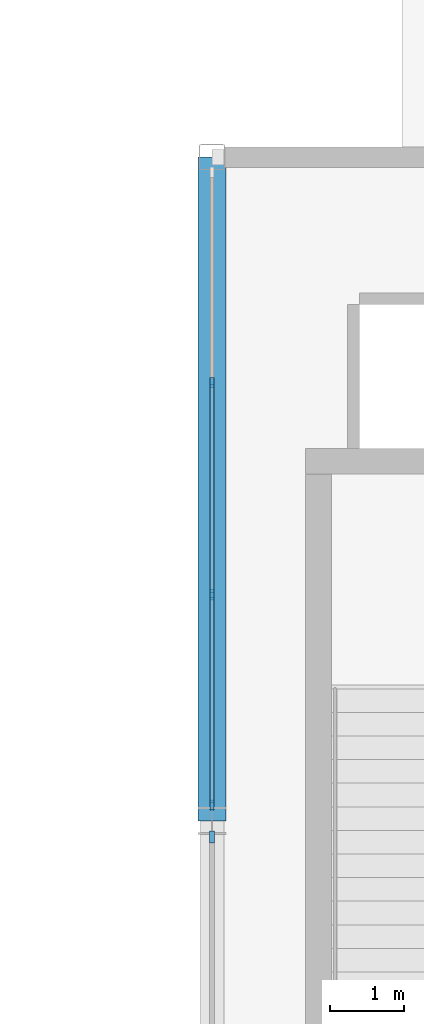
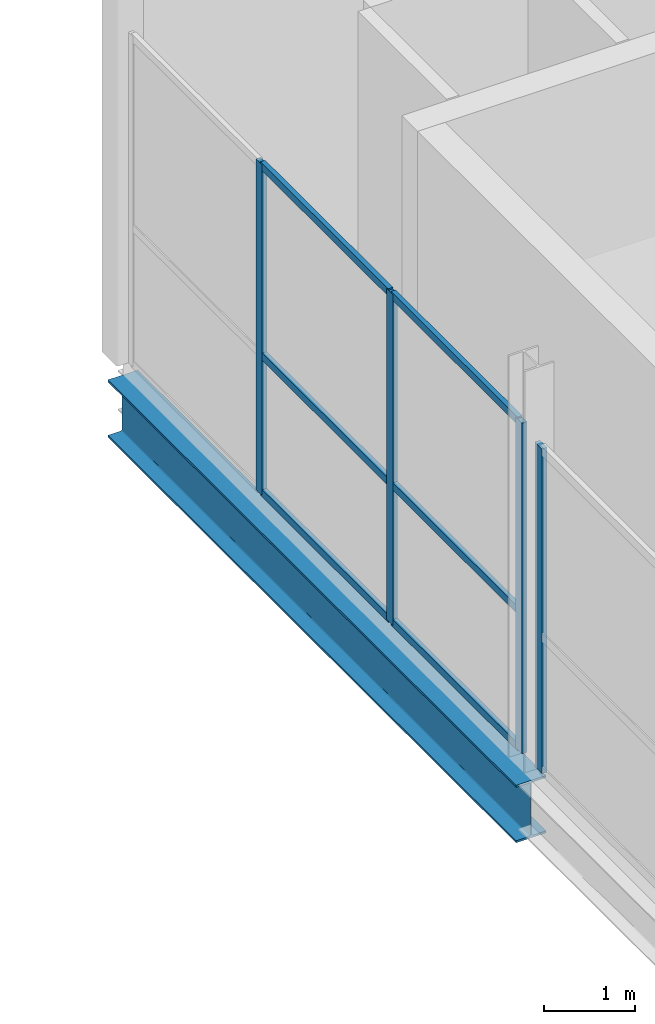
# One storey, part 39 of 94: 10 members, 1 beam, 2 elements without a shape of their own.
"""IFC4 building model written with IfcOpenShell, lengths in metres."""

from ifc_helpers import new_model, si_unit, direction, frame, origin, origin_2d, place, context, subcontext, project, spatial, rectangle, i_section, extrude, material, layer, layer_set, material_profile, profile_set, type_object, element, aggregate, save


model = new_model("IFC4")

# Units and contexts
model_context = context("Model", 3, precision=1e-05, world=origin(), true_north=direction((0.0, 1.0)))
body_context = subcontext(model_context, "Body", "Model", "MODEL_VIEW")
ifc_project = project(units=[si_unit("LENGTHUNIT", "METRE"), si_unit("AREAUNIT", "SQUARE_METRE"), si_unit("VOLUMEUNIT", "CUBIC_METRE"), si_unit("PLANEANGLEUNIT", "RADIAN"), si_unit("MASSUNIT", "GRAM", prefix="KILO")], contexts=[model_context])

# Site, building, storey
site_placement = place(None, origin())
site = spatial("IfcSite", under=ifc_project, at=site_placement, CompositionType="ELEMENT")
building_placement = place(site_placement, origin())
building = spatial("IfcBuilding", under=site, at=building_placement, Name="Qamarlyn Nura Convention Centre", CompositionType="ELEMENT")
storey_placement = place(building_placement, origin())
storey = spatial("IfcBuildingStorey", under=building, at=storey_placement, Name="L00", CompositionType="ELEMENT", Elevation=0.0)

# Beam
ifc_material_1 = material(Name="Steel ASTM A992", Category="steel")
ifc_material_profile_1 = material_profile(ifc_material_1, i_section(OverallWidth=0.381103515625, OverallDepth=0.77294921875, WebThickness=0.0166015625, FlangeThickness=0.027587890625, FilletRadius=0.02001953125, at=origin_2d()), Name="W760X257")
ifc_profile_set_1 = profile_set([ifc_material_profile_1], Name="Steel ASTM A992")
beam_type = type_object("IfcBeamType", Name="BM-GIRD-760", PredefinedType="BEAM", material=ifc_profile_set_1)
beam_placement = place(storey_placement, frame((144.0, 117.0, -0.66650390625), z_axis=(0.0, 1.0, 0.0), x_axis=(-1.0, 0.0, 0.0)))
element("IfcBeam", 1, at=beam_placement, inside=storey, type_object=beam_type, Name="L00 girder 12 P-Q", PredefinedType="BEAM", context=body_context, shape_type="SweptSolid", body=[
    extrude(i_section(OverallWidth=0.381103515625, OverallDepth=0.77294921875, WebThickness=0.0166015625, FlangeThickness=0.027587890625, FilletRadius=0.02001953125, at=origin_2d()), origin(), (0.0, 0.0, 1.0), 9.0),
])

# Curtain wall, members
ifc_material_2 = material(Name="Double-silver low-E insulated glass", Category="glass")
ifc_layer_1 = layer(ifc_material_2, 0.179931640625, Name="CW-UNIT-65")
ifc_layer_set_1 = layer_set([ifc_layer_1], Name="Double-silver low-E insulated glass")
curtain_wall_type_1 = type_object("IfcCurtainWallType", Name="CW-UNIT-65", PredefinedType="NOTDEFINED", material=ifc_layer_set_1)
curtain_wall_1_placement = place(storey_placement, origin())
curtain_wall_1 = element("IfcCurtainWall", 2, at=curtain_wall_1_placement, inside=storey, type_object=curtain_wall_type_1, Name="L00 unitised curtain wall PLW-117-1", PredefinedType="NOTDEFINED")
ifc_material_3 = material(Name="Champagne-anodised marine aluminium", Category="aluminium")
ifc_material_profile_2 = material_profile(ifc_material_3, rectangle(XDim=0.06005859375, YDim=0.139892578125, at=origin_2d()), Name="ALU MULLION 60x140")
ifc_profile_set_2 = profile_set([ifc_material_profile_2], Name="Champagne-anodised marine aluminium")
member_type_1 = type_object("IfcMemberType", Name="CWM-140", PredefinedType="MULLION", material=ifc_profile_set_2)
member_1_placement = place(storey_placement, frame((144.0, 117.216064453125, 0.0), z_axis=(0.0, 0.0, 1.0), x_axis=(-1.0, 0.0, 0.0)))
member_1 = element("IfcMember", 3, at=member_1_placement, type_object=member_type_1, Name="CW65 mullion 1", PredefinedType="MULLION", context=body_context, shape_type="SweptSolid", body=[
    extrude(rectangle(XDim=0.06005859375, YDim=0.139892578125, at=origin_2d()), origin(), (0.0, 0.0, 1.0), 4.449951171875),
])
member_2_placement = place(storey_placement, frame((144.0, 120.065673828125, 0.0), z_axis=(0.0, 0.0, 1.0), x_axis=(-1.0, 0.0, 0.0)))
member_2 = element("IfcMember", 4, at=member_2_placement, type_object=member_type_1, Name="CW65 mullion 2", PredefinedType="MULLION", context=body_context, shape_type="SweptSolid", body=[
    extrude(rectangle(XDim=0.06005859375, YDim=0.139892578125, at=origin_2d()), origin(), (0.0, 0.0, 1.0), 4.449951171875),
])
member_3_placement = place(storey_placement, frame((144.0, 122.9453125, 0.0), z_axis=(0.0, 0.0, 1.0), x_axis=(-1.0, 0.0, 0.0)))
member_3 = element("IfcMember", 5, at=member_3_placement, type_object=member_type_1, Name="CW65 mullion 3", PredefinedType="MULLION", context=body_context, shape_type="SweptSolid", body=[
    extrude(rectangle(XDim=0.06005859375, YDim=0.139892578125, at=origin_2d()), origin(), (0.0, 0.0, 1.0), 4.449951171875),
])

# Curtain wall, member
ifc_layer_2 = layer(ifc_material_2, 0.179931640625, Name="CW-UNIT-64")
ifc_layer_set_2 = layer_set([ifc_layer_2], Name="Double-silver low-E insulated glass")
curtain_wall_type_2 = type_object("IfcCurtainWallType", Name="CW-UNIT-64", PredefinedType="NOTDEFINED", material=ifc_layer_set_2)
curtain_wall_2_placement = place(storey_placement, origin())
curtain_wall_2 = element("IfcCurtainWall", 6, at=curtain_wall_2_placement, inside=storey, type_object=curtain_wall_type_2, Name="L00 unitised curtain wall PLW-108-1", PredefinedType="NOTDEFINED")
ifc_material_profile_3 = material_profile(ifc_material_3, rectangle(XDim=0.06494140625, YDim=0.159912109375, at=origin_2d()), Name="ALU MULLION 65x160")
ifc_profile_set_3 = profile_set([ifc_material_profile_3], Name="Champagne-anodised marine aluminium")
member_type_2 = type_object("IfcMemberType", Name="CWM-160", PredefinedType="MULLION", material=ifc_profile_set_3)
member_4_placement = place(storey_placement, frame((144.0, 116.781494140625, 0.0), z_axis=(0.0, 0.0, 1.0), x_axis=(-1.0, 0.0, 0.0)))
member_4 = element("IfcMember", 7, at=member_4_placement, type_object=member_type_2, Name="CW64 mullion 4", PredefinedType="MULLION", context=body_context, shape_type="SweptSolid", body=[
    extrude(rectangle(XDim=0.06494140625, YDim=0.159912109375, at=origin_2d()), origin(), (0.0, 0.0, 1.0), 4.3720703125),
])
aggregate(curtain_wall_2, [member_4])

# Member
ifc_material_profile_4 = material_profile(ifc_material_3, rectangle(XDim=0.06005859375, YDim=0.10009765625, at=origin_2d()), Name="ALU TRANSOM 60x100")
ifc_profile_set_4 = profile_set([ifc_material_profile_4], Name="Champagne-anodised marine aluminium")
member_type_3 = type_object("IfcMemberType", Name="CWT-100", PredefinedType="USERDEFINED", material=ifc_profile_set_4)
member_5_placement = place(storey_placement, frame((144.0, 117.24609375, 0.030029296875), z_axis=(0.0, 1.0, 0.0), x_axis=(-1.0, 0.0, 0.0)))
member_5 = element("IfcMember", 8, at=member_5_placement, type_object=member_type_3, Name="CW65 transom 1.1", ObjectType="TRANSOM", PredefinedType="USERDEFINED", context=body_context, shape_type="SweptSolid", body=[
    extrude(rectangle(XDim=0.06005859375, YDim=0.10009765625, at=origin_2d()), origin(), (0.0, 0.0, 1.0), 2.78955078125),
])

member_6_placement = place(storey_placement, frame((144.0, 117.24609375, 1.868896484375), z_axis=(0.0, 1.0, 0.0), x_axis=(-1.0, 0.0, 0.0)))
member_6 = element("IfcMember", 9, at=member_6_placement, type_object=member_type_3, Name="CW65 transom 1.2", ObjectType="TRANSOM", PredefinedType="USERDEFINED", context=body_context, shape_type="SweptSolid", body=[
    extrude(rectangle(XDim=0.06005859375, YDim=0.10009765625, at=origin_2d()), origin(), (0.0, 0.0, 1.0), 2.78955078125),
])

member_7_placement = place(storey_placement, frame((144.0, 117.24609375, 4.419921875), z_axis=(0.0, 1.0, 0.0), x_axis=(-1.0, 0.0, 0.0)))
member_7 = element("IfcMember", 10, at=member_7_placement, type_object=member_type_3, Name="CW65 transom 1.3", ObjectType="TRANSOM", PredefinedType="USERDEFINED", context=body_context, shape_type="SweptSolid", body=[
    extrude(rectangle(XDim=0.06005859375, YDim=0.10009765625, at=origin_2d()), origin(), (0.0, 0.0, 1.0), 2.78955078125),
])

member_8_placement = place(storey_placement, frame((144.0, 120.095703125, 0.030029296875), z_axis=(0.0, 1.0, 0.0), x_axis=(-1.0, 0.0, 0.0)))
member_8 = element("IfcMember", 11, at=member_8_placement, type_object=member_type_3, Name="CW65 transom 2.1", ObjectType="TRANSOM", PredefinedType="USERDEFINED", context=body_context, shape_type="SweptSolid", body=[
    extrude(rectangle(XDim=0.06005859375, YDim=0.10009765625, at=origin_2d()), origin(), (0.0, 0.0, 1.0), 2.819580078125),
])

member_9_placement = place(storey_placement, frame((144.0, 120.095703125, 1.868896484375), z_axis=(0.0, 1.0, 0.0), x_axis=(-1.0, 0.0, 0.0)))
member_9 = element("IfcMember", 12, at=member_9_placement, type_object=member_type_3, Name="CW65 transom 2.2", ObjectType="TRANSOM", PredefinedType="USERDEFINED", context=body_context, shape_type="SweptSolid", body=[
    extrude(rectangle(XDim=0.06005859375, YDim=0.10009765625, at=origin_2d()), origin(), (0.0, 0.0, 1.0), 2.819580078125),
])

member_10_placement = place(storey_placement, frame((144.0, 120.095703125, 4.419921875), z_axis=(0.0, 1.0, 0.0), x_axis=(-1.0, 0.0, 0.0)))
member_10 = element("IfcMember", 13, at=member_10_placement, type_object=member_type_3, Name="CW65 transom 2.3", ObjectType="TRANSOM", PredefinedType="USERDEFINED", context=body_context, shape_type="SweptSolid", body=[
    extrude(rectangle(XDim=0.06005859375, YDim=0.10009765625, at=origin_2d()), origin(), (0.0, 0.0, 1.0), 2.819580078125),
])

aggregate(curtain_wall_1, [member_1, member_2, member_3, member_5, member_6, member_7, member_8, member_9, member_10])

save(model, "model.ifc")
